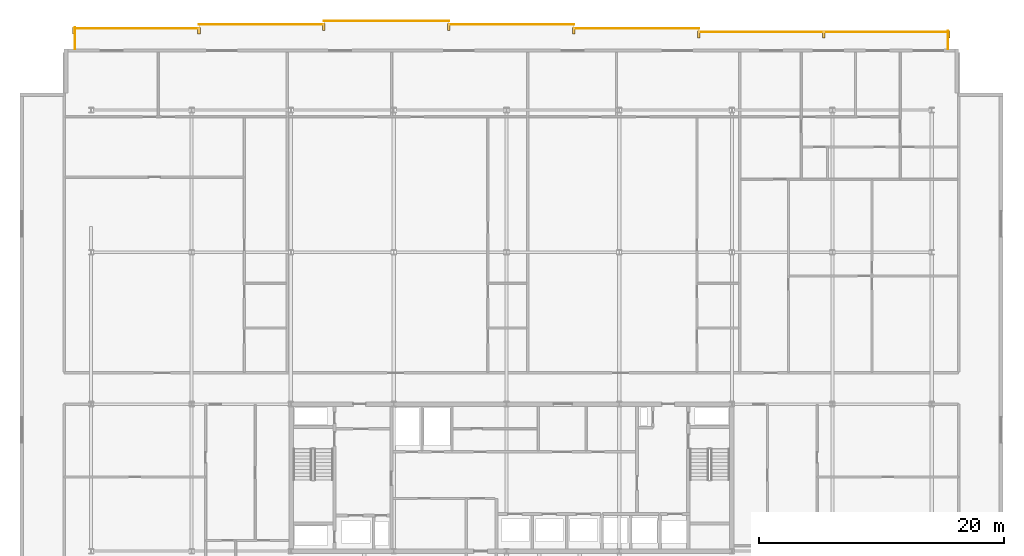
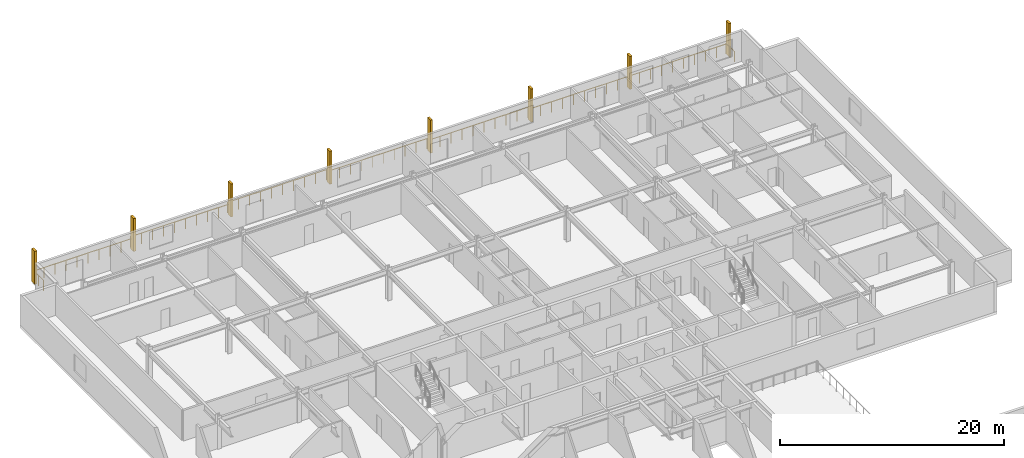
# One storey, part 28 of 28: 8 railings, 8 shading devices.
"""IFC4 building model written with IfcOpenShell, lengths in metres."""

from ifc_helpers import new_model, si_unit, direction, frame, origin, origin_2d, place, context, subcontext, project, spatial, rectangle, circle, extrude, material, type_object, element, save


model = new_model("IFC4")

# Units and contexts
model_context = context("Model", 3, precision=1e-05, world=origin(), true_north=direction((0.0, 1.0)))
body_context = subcontext(model_context, "Body", "Model", "MODEL_VIEW")
ifc_project = project(units=[si_unit("LENGTHUNIT", "METRE"), si_unit("AREAUNIT", "SQUARE_METRE"), si_unit("VOLUMEUNIT", "CUBIC_METRE"), si_unit("PLANEANGLEUNIT", "RADIAN"), si_unit("MASSUNIT", "GRAM", prefix="KILO")], contexts=[model_context])

# Site, building, storey
site_placement = place(None, origin())
site = spatial("IfcSite", under=ifc_project, at=site_placement, CompositionType="ELEMENT")
building_placement = place(site_placement, origin())
building = spatial("IfcBuilding", under=site, at=building_placement, Name="Korimba Cascade Residences", CompositionType="ELEMENT")
storey_placement = place(building_placement, frame((0.0, 0.0, 153.699951171875)))
storey = spatial("IfcBuildingStorey", under=building, at=storey_placement, Name="L44", CompositionType="ELEMENT", Elevation=153.699951171875)

# Railings
ifc_material_1 = material(Name="Laminated Glass and Bronze Balustrade", Category="glass")
railing_type = type_object("IfcRailingType", Name="RLG-LOG-1150", PredefinedType="BALUSTRADE", material=ifc_material_1)
railing_1_placement = place(storey_placement, frame((129.719970703125, 96.199951171875, 0.0)))
element("IfcRailing", 1, at=railing_1_placement, inside=storey, type_object=railing_type, Name="L44 Perimeter Guardrail RLG-L44-T1-LOG-01", PredefinedType="BALUSTRADE", context=body_context, shape_type="SweptSolid", body=[
    extrude(circle(Radius=0.02392578125, at=origin_2d()), frame((0.0, 0.0, 1.1259765625), z_axis=(0.0, 1.0, 0.0), x_axis=(-1.0, 0.0, 0.0)), (0.0, 0.0, 1.0), 1.449951171875),
    extrude(circle(Radius=0.02099609375, at=origin_2d()), origin(), (0.0, 0.0, 1.0), 1.101806640625),
    extrude(circle(Radius=0.02099609375, at=origin_2d()), frame((0.0, 0.72509765625, 0.0)), (0.0, 0.0, 1.0), 1.101806640625),
    extrude(circle(Radius=0.02099609375, at=origin_2d()), frame((0.0, 1.449951171875, 0.0)), (0.0, 0.0, 1.0), 1.101806640625),
])
railing_2_placement = place(storey_placement, frame((129.800048828125, 97.570068359375, 0.0)))
element("IfcRailing", 2, at=railing_2_placement, inside=storey, type_object=railing_type, Name="L44 Perimeter Guardrail RLG-L44-T1-LOG-02", PredefinedType="BALUSTRADE", context=body_context, shape_type="SweptSolid", body=[
    extrude(circle(Radius=0.02392578125, at=origin_2d()), frame((0.0, 0.0, 1.1259765625), z_axis=(-1.0, 0.0, 0.0), x_axis=(0.0, -1.0, 0.0)), (0.0, 0.0, 1.0), 20.400146484375),
    extrude(circle(Radius=0.02099609375, at=origin_2d()), origin(), (0.0, 0.0, 1.0), 1.101806640625),
    extrude(circle(Radius=0.02099609375, at=origin_2d()), frame((-1.13330078125, 0.0, 0.0)), (0.0, 0.0, 1.0), 1.101806640625),
    extrude(circle(Radius=0.02099609375, at=origin_2d()), frame((-2.2666015625, 0.0, 0.0)), (0.0, 0.0, 1.0), 1.101806640625),
    extrude(circle(Radius=0.02099609375, at=origin_2d()), frame((-3.39990234375, 0.0, 0.0)), (0.0, 0.0, 1.0), 1.101806640625),
    extrude(circle(Radius=0.02099609375, at=origin_2d()), frame((-4.533447265625, 0.0, 0.0)), (0.0, 0.0, 1.0), 1.101806640625),
    extrude(circle(Radius=0.02099609375, at=origin_2d()), frame((-5.666748046875, 0.0, 0.0)), (0.0, 0.0, 1.0), 1.101806640625),
    extrude(circle(Radius=0.02099609375, at=origin_2d()), frame((-6.800048828125, 0.0, 0.0)), (0.0, 0.0, 1.0), 1.101806640625),
    extrude(circle(Radius=0.02099609375, at=origin_2d()), frame((-7.933349609375, 0.0, 0.0)), (0.0, 0.0, 1.0), 1.101806640625),
    extrude(circle(Radius=0.02099609375, at=origin_2d()), frame((-9.066650390625, 0.0, 0.0)), (0.0, 0.0, 1.0), 1.101806640625),
    extrude(circle(Radius=0.02099609375, at=origin_2d()), frame((-10.2001953125, 0.0, 0.0)), (0.0, 0.0, 1.0), 1.101806640625),
    extrude(circle(Radius=0.02099609375, at=origin_2d()), frame((-11.33349609375, 0.0, 0.0)), (0.0, 0.0, 1.0), 1.101806640625),
    extrude(circle(Radius=0.02099609375, at=origin_2d()), frame((-12.466796875, 0.0, 0.0)), (0.0, 0.0, 1.0), 1.101806640625),
    extrude(circle(Radius=0.02099609375, at=origin_2d()), frame((-13.60009765625, 0.0, 0.0)), (0.0, 0.0, 1.0), 1.101806640625),
    extrude(circle(Radius=0.02099609375, at=origin_2d()), frame((-14.7333984375, 0.0, 0.0)), (0.0, 0.0, 1.0), 1.101806640625),
    extrude(circle(Radius=0.02099609375, at=origin_2d()), frame((-15.86669921875, 0.0, 0.0)), (0.0, 0.0, 1.0), 1.101806640625),
    extrude(circle(Radius=0.02099609375, at=origin_2d()), frame((-17.0, 0.0, 0.0)), (0.0, 0.0, 1.0), 1.101806640625),
    extrude(circle(Radius=0.02099609375, at=origin_2d()), frame((-18.133544921875, 0.0, 0.0)), (0.0, 0.0, 1.0), 1.101806640625),
    extrude(circle(Radius=0.02099609375, at=origin_2d()), frame((-19.266845703125, 0.0, 0.0)), (0.0, 0.0, 1.0), 1.101806640625),
    extrude(circle(Radius=0.02099609375, at=origin_2d()), frame((-20.400146484375, 0.0, 0.0)), (0.0, 0.0, 1.0), 1.101806640625),
])
for number, where, name in (
    (3, (109.39990234375, 97.8701171875, 0.0), "L44 Perimeter Guardrail RLG-L44-T1-LOG-03"),
    (4, (99.199951171875, 98.169921875, 0.0), "L44 Perimeter Guardrail RLG-L44-T1-LOG-04"),
    (5, (89.0, 98.469970703125, 0.0), "L44 Perimeter Guardrail RLG-L44-T1-LOG-05"),
    (6, (78.800048828125, 98.169921875, 0.0), "L44 Perimeter Guardrail RLG-L44-T1-LOG-06"),
):
    element("IfcRailing", number, at=place(storey_placement, frame(where)), inside=storey, type_object=railing_type, Name=name, PredefinedType="BALUSTRADE", context=body_context, shape_type="SweptSolid", body=[
        extrude(circle(Radius=0.02392578125, at=origin_2d()), frame((0.0, 0.0, 1.1259765625), z_axis=(-1.0, 0.0, 0.0), x_axis=(0.0, -1.0, 0.0)), (0.0, 0.0, 1.0), 10.199951171875),
        extrude(circle(Radius=0.02099609375, at=origin_2d()), origin(), (0.0, 0.0, 1.0), 1.101806640625),
        extrude(circle(Radius=0.02099609375, at=origin_2d()), frame((-1.13330078125, 0.0, 0.0)), (0.0, 0.0, 1.0), 1.101806640625),
        extrude(circle(Radius=0.02099609375, at=origin_2d()), frame((-2.2666015625, 0.0, 0.0)), (0.0, 0.0, 1.0), 1.101806640625),
        extrude(circle(Radius=0.02099609375, at=origin_2d()), frame((-3.39990234375, 0.0, 0.0)), (0.0, 0.0, 1.0), 1.101806640625),
        extrude(circle(Radius=0.02099609375, at=origin_2d()), frame((-4.533203125, 0.0, 0.0)), (0.0, 0.0, 1.0), 1.101806640625),
        extrude(circle(Radius=0.02099609375, at=origin_2d()), frame((-5.666748046875, 0.0, 0.0)), (0.0, 0.0, 1.0), 1.101806640625),
        extrude(circle(Radius=0.02099609375, at=origin_2d()), frame((-6.800048828125, 0.0, 0.0)), (0.0, 0.0, 1.0), 1.101806640625),
        extrude(circle(Radius=0.02099609375, at=origin_2d()), frame((-7.933349609375, 0.0, 0.0)), (0.0, 0.0, 1.0), 1.101806640625),
        extrude(circle(Radius=0.02099609375, at=origin_2d()), frame((-9.066650390625, 0.0, 0.0)), (0.0, 0.0, 1.0), 1.101806640625),
        extrude(circle(Radius=0.02099609375, at=origin_2d()), frame((-10.199951171875, 0.0, 0.0)), (0.0, 0.0, 1.0), 1.101806640625),
    ])
railing_3_placement = place(storey_placement, frame((68.60009765625, 97.8701171875, 0.0)))
element("IfcRailing", 7, at=railing_3_placement, inside=storey, type_object=railing_type, Name="L44 Perimeter Guardrail RLG-L44-T1-LOG-07", PredefinedType="BALUSTRADE", context=body_context, shape_type="SweptSolid", body=[
    extrude(circle(Radius=0.02392578125, at=origin_2d()), frame((0.0, 0.0, 1.1259765625), z_axis=(-1.0, 0.0, 0.0), x_axis=(0.0, -1.0, 0.0)), (0.0, 0.0, 1.0), 10.2001953125),
    extrude(circle(Radius=0.02099609375, at=origin_2d()), origin(), (0.0, 0.0, 1.0), 1.101806640625),
    extrude(circle(Radius=0.02099609375, at=origin_2d()), frame((-1.13330078125, 0.0, 0.0)), (0.0, 0.0, 1.0), 1.101806640625),
    extrude(circle(Radius=0.02099609375, at=origin_2d()), frame((-2.2666015625, 0.0, 0.0)), (0.0, 0.0, 1.0), 1.101806640625),
    extrude(circle(Radius=0.02099609375, at=origin_2d()), frame((-3.400146484375, 0.0, 0.0)), (0.0, 0.0, 1.0), 1.101806640625),
    extrude(circle(Radius=0.02099609375, at=origin_2d()), frame((-4.533447265625, 0.0, 0.0)), (0.0, 0.0, 1.0), 1.101806640625),
    extrude(circle(Radius=0.02099609375, at=origin_2d()), frame((-5.666748046875, 0.0, 0.0)), (0.0, 0.0, 1.0), 1.101806640625),
    extrude(circle(Radius=0.02099609375, at=origin_2d()), frame((-6.800048828125, 0.0, 0.0)), (0.0, 0.0, 1.0), 1.101806640625),
    extrude(circle(Radius=0.02099609375, at=origin_2d()), frame((-7.93359375, 0.0, 0.0)), (0.0, 0.0, 1.0), 1.101806640625),
    extrude(circle(Radius=0.02099609375, at=origin_2d()), frame((-9.06689453125, 0.0, 0.0)), (0.0, 0.0, 1.0), 1.101806640625),
    extrude(circle(Radius=0.02099609375, at=origin_2d()), frame((-10.2001953125, 0.0, 0.0)), (0.0, 0.0, 1.0), 1.101806640625),
])
railing_4_placement = place(storey_placement, frame((58.47998046875, 97.949951171875, 0.0)))
element("IfcRailing", 8, at=railing_4_placement, inside=storey, type_object=railing_type, Name="L44 Perimeter Guardrail RLG-L44-T1-LOG-08", PredefinedType="BALUSTRADE", context=body_context, shape_type="SweptSolid", body=[
    extrude(circle(Radius=0.02392578125, at=origin_2d()), frame((0.0, 0.0, 1.1259765625), z_axis=(0.0, -1.0, 0.0), x_axis=(1.0, 0.0, 0.0)), (0.0, 0.0, 1.0), 1.75),
    extrude(circle(Radius=0.02099609375, at=origin_2d()), origin(), (0.0, 0.0, 1.0), 1.101806640625),
    extrude(circle(Radius=0.02099609375, at=origin_2d()), frame((0.0, -0.875, 0.0)), (0.0, 0.0, 1.0), 1.101806640625),
    extrude(circle(Radius=0.02099609375, at=origin_2d()), frame((0.0, -1.75, 0.0)), (0.0, 0.0, 1.0), 1.101806640625),
])

# Shading devices
ifc_material_2 = material(Name="Honed Sandstone Precast Fin", Category="masonry")
shading_device_type = type_object("IfcShadingDeviceType", Name="SHD-FIN-550", PredefinedType="USERDEFINED", material=ifc_material_2)
for number, where, z_axis, x_axis, name in (
    (9, (58.39990234375, 97.675048828125, 0.0), (0.0, 0.0, 1.0), (1.0, 0.0, 0.0), "L44 T1 Warm-Stone Loggia Fin 1"),
    (10, (68.60009765625, 97.675048828125, 0.0), (0.0, 0.0, 1.0), (1.0, 0.0, 0.0), "L44 T1 Warm-Stone Loggia Fin 2"),
    (11, (78.800048828125, 97.97509765625, 0.0), (0.0, 0.0, 1.0), (1.0, 0.0, 0.0), "L44 T1 Warm-Stone Loggia Fin 3"),
    (12, (89.0, 97.97509765625, 0.0), (0.0, 0.0, 1.0), (1.0, 0.0, 0.0), "L44 T1 Warm-Stone Loggia Fin 4"),
    (13, (99.199951171875, 97.675048828125, 0.0), (0.0, 0.0, 1.0), (1.0, 0.0, 0.0), "L44 T1 Warm-Stone Loggia Fin 5"),
    (14, (109.39990234375, 97.375, 0.0), (0.0, 0.0, 1.0), (1.0, 0.0, 0.0), "L44 T1 Warm-Stone Loggia Fin 6"),
    (15, (119.60009765625, 97.375, 0.0), (0.0, 0.0, 1.0), (1.0, 0.0, 0.0), "L44 T1 Warm-Stone Loggia Fin 7"),
    (16, (129.800048828125, 97.375, 0.0), (0.0, 0.0, 1.0), (1.0, 0.0, 0.0), "L44 T1 Warm-Stone Loggia Fin 8"),
):
    element("IfcShadingDevice", number, at=place(storey_placement, frame(where, z_axis=z_axis, x_axis=x_axis)), inside=storey, type_object=shading_device_type, Name=name, ObjectType="FIN", PredefinedType="USERDEFINED", context=body_context, shape_type="SweptSolid", body=[
        extrude(rectangle(XDim=0.219970703125, YDim=0.550048828125, at=origin_2d()), origin(), (0.0, 0.0, 1.0), 3.60009765625),
    ])

save(model, "model.ifc")
